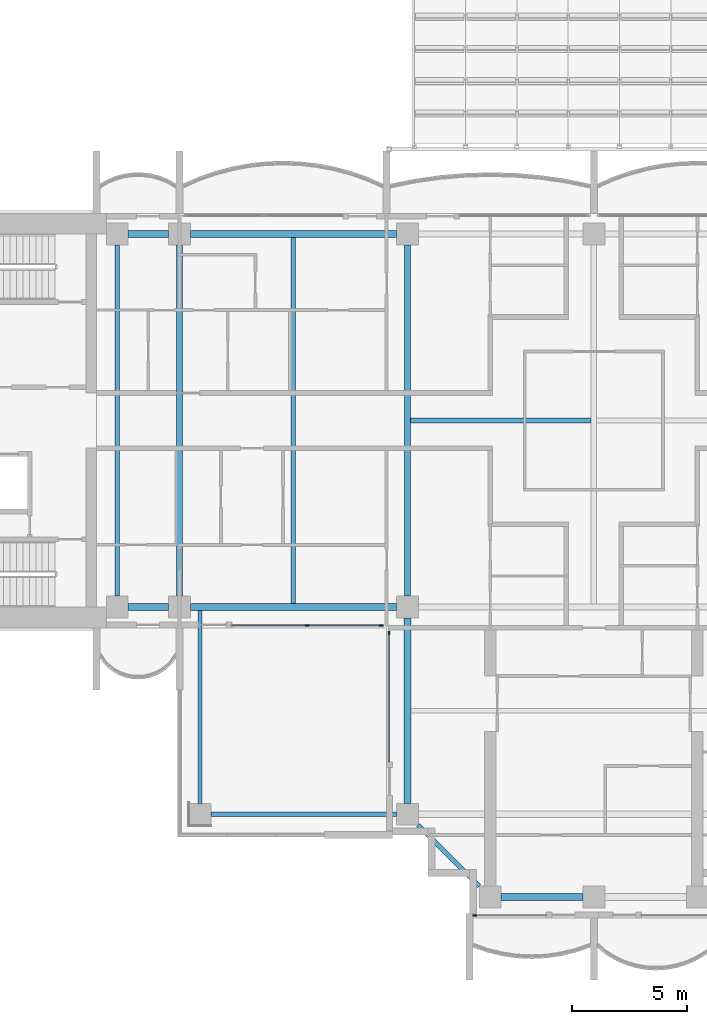
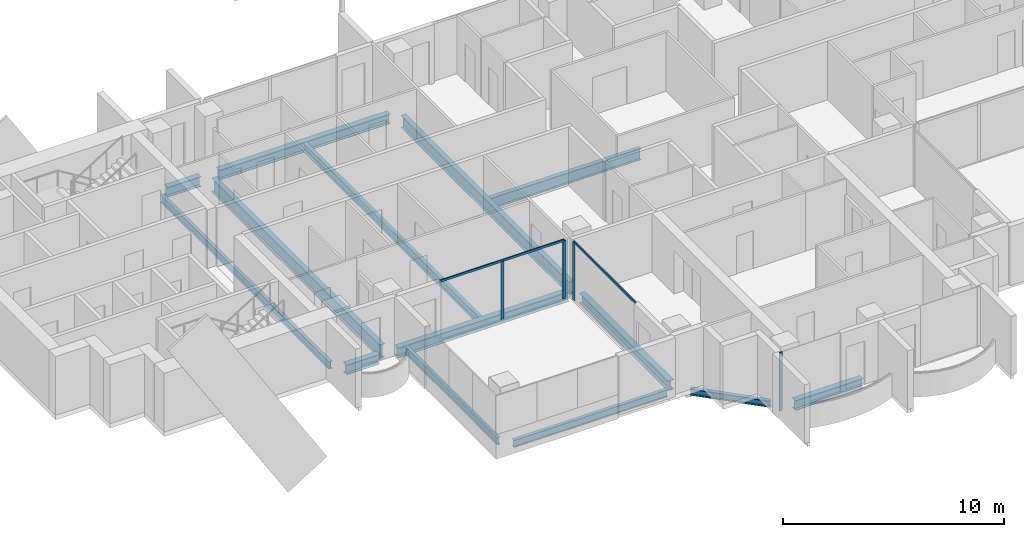
# One storey, part 3 of 20: 14 beams, 6 members, 3 elements without a shape of their own.
"""IFC4 building model written with IfcOpenShell, lengths in metres."""

from ifc_helpers import new_model, si_unit, direction, frame, origin, origin_2d, place, context, subcontext, project, spatial, rectangle, i_section, extrude, material, material_profile, profile_set, type_object, element, aggregate, save


model = new_model("IFC4")

# Units and contexts
model_context = context("Model", 3, precision=1e-05, world=origin(), true_north=direction((0.0, 1.0)))
body_context = subcontext(model_context, "Body", "Model", "MODEL_VIEW")
ifc_project = project(units=[si_unit("LENGTHUNIT", "METRE"), si_unit("AREAUNIT", "SQUARE_METRE"), si_unit("VOLUMEUNIT", "CUBIC_METRE"), si_unit("PLANEANGLEUNIT", "RADIAN"), si_unit("MASSUNIT", "GRAM", prefix="KILO")], contexts=[model_context])

# Site, building, storey
site_placement = place(None, origin())
site = spatial("IfcSite", under=ifc_project, at=site_placement, CompositionType="ELEMENT")
building_placement = place(site_placement, origin())
building = spatial("IfcBuilding", under=site, at=building_placement, Name="Perihelion Cross Residences", CompositionType="ELEMENT")
storey_placement = place(building_placement, frame((0.0, 0.0, 170.10009765625)))
storey = spatial("IfcBuildingStorey", under=building, at=storey_placement, Name="L41", CompositionType="ELEMENT", Elevation=170.10009765625)

# Curtain wall, members
ifc_material_1 = material(Name="Bronze anodised aluminium, tinted glazing", Category="aluminium")
curtain_wall_type = type_object("IfcCurtainWallType", Name="CW1", PredefinedType="NOTDEFINED", material=ifc_material_1)
curtain_wall_1_placement = place(storey_placement, origin())
curtain_wall_1 = element("IfcCurtainWall", 1, at=curtain_wall_1_placement, inside=storey, type_object=curtain_wall_type, Name="Curtain wall CW1 L41 west side south bay 2", PredefinedType="NOTDEFINED")
ifc_material_2 = material(Name="Bronze anodised aluminium", Category="aluminium")
ifc_material_profile_1 = material_profile(ifc_material_2, rectangle(XDim=0.06005859375, YDim=0.159912109375, at=origin_2d()), Name="CW1 mullion")
ifc_profile_set_1 = profile_set([ifc_material_profile_1], Name="Bronze anodised aluminium")
member_type_1 = type_object("IfcMemberType", Name="CW1 mullion", PredefinedType="MULLION", material=ifc_profile_set_1)
member_1_placement = place(storey_placement, frame((-12.46240234375, -8.89990234375, 0.0), z_axis=(0.0, 0.0, 1.0), x_axis=(0.0, 1.0, 0.0)))
member_1 = element("IfcMember", 2, at=member_1_placement, type_object=member_type_1, Name="CW1 mullion 2", PredefinedType="MULLION", context=body_context, shape_type="SweptSolid", body=[
    extrude(rectangle(XDim=0.06005859375, YDim=0.159912109375, at=origin_2d()), origin(), (0.0, 0.0, 1.0), 3.18994140625),
])
member_2_placement = place(storey_placement, frame((-9.22998046875, -8.89990234375, 0.0), z_axis=(0.0, 0.0, 1.0), x_axis=(0.0, 1.0, 0.0)))
member_2 = element("IfcMember", 3, at=member_2_placement, type_object=member_type_1, Name="CW1 mullion 3", PredefinedType="MULLION", context=body_context, shape_type="SweptSolid", body=[
    extrude(rectangle(XDim=0.06005859375, YDim=0.159912109375, at=origin_2d()), origin(), (0.0, 0.0, 1.0), 3.18994140625),
])

# Curtain wall, member
curtain_wall_2_placement = place(storey_placement, origin())
curtain_wall_2 = element("IfcCurtainWall", 4, at=curtain_wall_2_placement, inside=storey, type_object=curtain_wall_type, Name="Curtain wall CW1 L41 south side west bay 1", PredefinedType="NOTDEFINED")
member_3_placement = place(storey_placement, frame((-8.89990234375, -9.22998046875, 0.0), z_axis=(0.0, 0.0, 1.0), x_axis=(1.0, 0.0, 0.0)))
member_3 = element("IfcMember", 5, at=member_3_placement, type_object=member_type_1, Name="CW1 mullion 1", PredefinedType="MULLION", context=body_context, shape_type="SweptSolid", body=[
    extrude(rectangle(XDim=0.06005859375, YDim=0.159912109375, at=origin_2d()), origin(), (0.0, 0.0, 1.0), 3.18994140625),
])

curtain_wall_3_placement = place(storey_placement, origin())
curtain_wall_3 = element("IfcCurtainWall", 6, at=curtain_wall_3_placement, inside=storey, type_object=curtain_wall_type, Name="Curtain wall CW1 L41 south tip south bay 1", PredefinedType="NOTDEFINED")
member_4_placement = place(storey_placement, frame((-5.169921875, -21.5, 0.0), z_axis=(0.0, 0.0, 1.0), x_axis=(0.0, 1.0, 0.0)))
member_4 = element("IfcMember", 7, at=member_4_placement, type_object=member_type_1, Name="CW1 mullion 1", PredefinedType="MULLION", context=body_context, shape_type="SweptSolid", body=[
    extrude(rectangle(XDim=0.06005859375, YDim=0.159912109375, at=origin_2d()), origin(), (0.0, 0.0, 1.0), 3.25),
])
aggregate(curtain_wall_3, [member_4])

# Member
ifc_material_3 = material(Name="Bronze anodised aluminium", Category="aluminium")
ifc_material_profile_2 = material_profile(ifc_material_3, rectangle(XDim=0.06005859375, YDim=0.1201171875, at=origin_2d()), Name="CW1 transom")
ifc_profile_set_2 = profile_set([ifc_material_profile_2], Name="Bronze anodised aluminium")
member_type_2 = type_object("IfcMemberType", Name="CW1 transom", PredefinedType="USERDEFINED", material=ifc_profile_set_2)
member_5_placement = place(storey_placement, frame((-15.72509765625, -8.89990234375, 3.219970703125), z_axis=(1.0, 0.0, 0.0), x_axis=(0.0, 1.0, 0.0)))
member_5 = element("IfcMember", 8, at=member_5_placement, type_object=member_type_2, Name="CW1 head transom", ObjectType="TRANSOM", PredefinedType="USERDEFINED", context=body_context, shape_type="SweptSolid", body=[
    extrude(rectangle(XDim=0.06005859375, YDim=0.1201171875, at=origin_2d()), origin(), (0.0, 0.0, 1.0), 6.4951171875),
])

aggregate(curtain_wall_1, [member_1, member_2, member_5])

member_6_placement = place(storey_placement, frame((-8.89990234375, -9.22998046875, 3.219970703125), z_axis=(0.0, -1.0, 0.0), x_axis=(1.0, 0.0, 0.0)))
member_6 = element("IfcMember", 9, at=member_6_placement, type_object=member_type_2, Name="CW1 head transom", ObjectType="TRANSOM", PredefinedType="USERDEFINED", context=body_context, shape_type="SweptSolid", body=[
    extrude(rectangle(XDim=0.06005859375, YDim=0.1201171875, at=origin_2d()), origin(), (0.0, 0.0, 1.0), 5.594970703125),
])

aggregate(curtain_wall_2, [member_3, member_6])

# Beams
ifc_material_4 = material(Name="Steel S355", Category="steel")
ifc_material_profile_3 = material_profile(ifc_material_4, i_section(OverallWidth=0.177978515625, OverallDepth=0.406005859375, WebThickness=0.0078125, FlangeThickness=0.0126953125, at=origin_2d()), Name="W410x60")
ifc_profile_set_3 = profile_set([ifc_material_profile_3], Name="Steel S355")
beam_type_1 = type_object("IfcBeamType", Name="Core edge beam W410x60", PredefinedType="BEAM", material=ifc_profile_set_3)
beam_1_placement = place(storey_placement, frame((-17.10009765625, -8.256103515625, -0.453125), z_axis=(0.0, -1.0, 0.0), x_axis=(1.0, 0.0, 0.0)))
element("IfcBeam", 10, at=beam_1_placement, inside=storey, type_object=beam_type_1, Name="Core edge beam TB2 L41 corner no. 1", PredefinedType="BEAM", context=body_context, shape_type="SweptSolid", body=[
    extrude(i_section(OverallWidth=0.177978515625, OverallDepth=0.406005859375, WebThickness=0.0078125, FlangeThickness=0.0126953125, at=origin_2d()), origin(), (0.0, 0.0, 1.0), 8.368896484375),
])
beam_2_placement = place(storey_placement, frame((-8.574951171875, -17.10009765625, -0.453125), z_axis=(-1.0, 0.0, 0.0), x_axis=(0.0, -1.0, 0.0)))
element("IfcBeam", 11, at=beam_2_placement, inside=storey, type_object=beam_type_1, Name="Core edge beam TB2 L41 corner no. 2", PredefinedType="BEAM", context=body_context, shape_type="SweptSolid", body=[
    extrude(i_section(OverallWidth=0.177978515625, OverallDepth=0.406005859375, WebThickness=0.0078125, FlangeThickness=0.0126953125, at=origin_2d()), origin(), (0.0, 0.0, 1.0), 8.050048828125),
])
ifc_material_5 = material(Name="Steel S355", Category="steel")
ifc_material_profile_4 = material_profile(ifc_material_5, i_section(OverallWidth=0.180908203125, OverallDepth=0.4169921875, WebThickness=0.010986328125, FlangeThickness=0.018310546875, at=origin_2d()), Name="W410x85")
ifc_profile_set_4 = profile_set([ifc_material_profile_4], Name="Steel S355")
beam_type_2 = type_object("IfcBeamType", Name="Core edge beam W410x85", PredefinedType="BEAM", material=ifc_profile_set_4)
beam_3_placement = place(storey_placement, frame((-20.699951171875, -7.625, -0.45849609375), z_axis=(0.0, 1.0, 0.0), x_axis=(-1.0, 0.0, 0.0)))
element("IfcBeam", 12, at=beam_3_placement, inside=storey, type_object=beam_type_2, Name="Core edge beam TB6 L41 no. 1", PredefinedType="BEAM", context=body_context, shape_type="SweptSolid", body=[
    extrude(i_section(OverallWidth=0.180908203125, OverallDepth=0.4169921875, WebThickness=0.010986328125, FlangeThickness=0.018310546875, at=origin_2d()), origin(), (0.0, 0.0, 1.0), 15.25),
])
ifc_material_6 = material(Name="Steel S355", Category="steel")
ifc_material_profile_5 = material_profile(ifc_material_6, i_section(OverallWidth=0.31201171875, OverallDepth=0.5439453125, WebThickness=0.0126953125, FlangeThickness=0.020263671875, at=origin_2d()), Name="W530x150")
ifc_profile_set_5 = profile_set([ifc_material_profile_5], Name="Steel S355")
beam_type_3 = type_object("IfcBeamType", Name="Edge beam W530x150", PredefinedType="SPANDREL", material=ifc_profile_set_5)
beam_4_placement = place(storey_placement, frame((-8.574951171875, 8.10009765625, -0.522216796875), z_axis=(-1.0, 0.0, 0.0), x_axis=(0.0, -1.0, 0.0)))
element("IfcBeam", 13, at=beam_4_placement, inside=storey, type_object=beam_type_3, Name="Edge beam SB4 L41 no. 6", PredefinedType="SPANDREL", context=body_context, shape_type="SweptSolid", body=[
    extrude(i_section(OverallWidth=0.31201171875, OverallDepth=0.5439453125, WebThickness=0.0126953125, FlangeThickness=0.020263671875, at=origin_2d()), origin(), (0.0, 0.0, 1.0), 8.949951171875),
])
for number, where, z_axis, x_axis, name in (
    (14, (-18.47509765625, 8.10009765625, -0.522216796875), (-1.0, 0.0, 0.0), (0.0, -1.0, 0.0), "Edge beam SB4 L41 no. 2"),
    (15, (-20.22509765625, -8.10009765625, -0.522216796875), (1.0, 0.0, 0.0), (0.0, 1.0, 0.0), "Edge beam SB4 L41 no. 3"),
):
    element("IfcBeam", number, at=place(storey_placement, frame(where, z_axis=z_axis, x_axis=x_axis)), inside=storey, type_object=beam_type_3, Name=name, PredefinedType="SPANDREL", context=body_context, shape_type="SweptSolid", body=[
        extrude(i_section(OverallWidth=0.31201171875, OverallDepth=0.5439453125, WebThickness=0.0126953125, FlangeThickness=0.020263671875, at=origin_2d()), origin(), (0.0, 0.0, 1.0), 1.75),
    ])
beam_5_placement = place(storey_placement, frame((-17.52490234375, -8.10009765625, -0.522216796875), z_axis=(1.0, 0.0, 0.0), x_axis=(0.0, 1.0, 0.0)))
element("IfcBeam", 16, at=beam_5_placement, inside=storey, type_object=beam_type_3, Name="Edge beam SB4 L41 no. 1", PredefinedType="SPANDREL", context=body_context, shape_type="SweptSolid", body=[
    extrude(i_section(OverallWidth=0.31201171875, OverallDepth=0.5439453125, WebThickness=0.0126953125, FlangeThickness=0.020263671875, at=origin_2d()), origin(), (0.0, 0.0, 1.0), 8.949951171875),
])
beam_6_placement = place(storey_placement, frame((-8.10009765625, -8.574951171875, -0.522216796875), z_axis=(0.0, -1.0, 0.0), x_axis=(1.0, 0.0, 0.0)))
element("IfcBeam", 17, at=beam_6_placement, inside=storey, type_object=beam_type_3, Name="Edge beam SB4 L41 no. 5", PredefinedType="SPANDREL", context=body_context, shape_type="SweptSolid", body=[
    extrude(i_section(OverallWidth=0.31201171875, OverallDepth=0.5439453125, WebThickness=0.0126953125, FlangeThickness=0.020263671875, at=origin_2d()), origin(), (0.0, 0.0, 1.0), 8.050048828125),
])
beam_7_placement = place(storey_placement, frame((-4.02490234375, -20.699951171875, -0.522216796875), z_axis=(1.0, 0.0, 0.0), x_axis=(0.0, 1.0, 0.0)))
element("IfcBeam", 18, at=beam_7_placement, inside=storey, type_object=beam_type_3, Name="Edge beam SB4 L41 no. 4", PredefinedType="SPANDREL", context=body_context, shape_type="SweptSolid", body=[
    extrude(i_section(OverallWidth=0.31201171875, OverallDepth=0.5439453125, WebThickness=0.0126953125, FlangeThickness=0.020263671875, at=origin_2d()), origin(), (0.0, 0.0, 1.0), 3.5498046875),
])
ifc_material_7 = material(Name="Steel S355", Category="steel")
ifc_material_profile_6 = material_profile(ifc_material_7, i_section(OverallWidth=0.26708984375, OverallDepth=0.77001953125, WebThickness=0.015625, FlangeThickness=0.025390625, at=origin_2d()), Name="W760x196")
ifc_profile_set_6 = profile_set([ifc_material_profile_6], Name="Steel S355")
beam_type_4 = type_object("IfcBeamType", Name="Floor girder W760x196", PredefinedType="BEAM", material=ifc_profile_set_6)
beam_8_placement = place(storey_placement, frame((-18.0, -7.625, -0.635009765625), z_axis=(0.0, 1.0, 0.0), x_axis=(-1.0, 0.0, 0.0)))
element("IfcBeam", 19, at=beam_8_placement, inside=storey, type_object=beam_type_4, Name="Girder G4 L41 no. 1", PredefinedType="BEAM", context=body_context, shape_type="SweptSolid", body=[
    extrude(i_section(OverallWidth=0.26708984375, OverallDepth=0.77001953125, WebThickness=0.015625, FlangeThickness=0.025390625, at=origin_2d()), origin(), (0.0, 0.0, 1.0), 15.25),
])
ifc_material_8 = material(Name="Steel S355", Category="steel")
ifc_material_profile_7 = material_profile(ifc_material_8, i_section(OverallWidth=0.19091796875, OverallDepth=0.45703125, WebThickness=0.009033203125, FlangeThickness=0.014404296875, at=origin_2d()), Name="W460x74")
ifc_profile_set_7 = profile_set([ifc_material_profile_7], Name="Steel S355")
beam_type_5 = type_object("IfcBeamType", Name="Floor joist W460x74", PredefinedType="JOIST", material=ifc_profile_set_7)
beam_9_placement = place(storey_placement, frame((-13.050048828125, -7.944091796875, -0.478515625), z_axis=(0.0, 1.0, 0.0), x_axis=(-1.0, 0.0, 0.0)))
element("IfcBeam", 20, at=beam_9_placement, inside=storey, type_object=beam_type_5, Name="Joist J5 L41 no. 1", PredefinedType="JOIST", context=body_context, shape_type="SweptSolid", body=[
    extrude(i_section(OverallWidth=0.19091796875, OverallDepth=0.45703125, WebThickness=0.009033203125, FlangeThickness=0.014404296875, at=origin_2d()), origin(), (0.0, 0.0, 1.0), 15.88818359375),
])
ifc_material_9 = material(Name="Steel S355", Category="steel")
ifc_material_profile_8 = material_profile(ifc_material_9, i_section(OverallWidth=0.22900390625, OverallDepth=0.612060546875, WebThickness=0.011962890625, FlangeThickness=0.01953125, at=origin_2d()), Name="W610x125")
ifc_profile_set_8 = profile_set([ifc_material_profile_8], Name="Steel S355")
beam_type_6 = type_object("IfcBeamType", Name="Hub cross beam W610x125", PredefinedType="BEAM", material=ifc_profile_set_8)
beam_10_placement = place(storey_placement, frame((-7.971435546875, 0.0, -0.55615234375), z_axis=(1.0, 0.0, 0.0), x_axis=(0.0, 1.0, 0.0)))
element("IfcBeam", 21, at=beam_10_placement, inside=storey, type_object=beam_type_6, Name="Hub cross beam XB4 L41 1 no. 1", PredefinedType="BEAM", context=body_context, shape_type="SweptSolid", body=[
    extrude(i_section(OverallWidth=0.22900390625, OverallDepth=0.612060546875, WebThickness=0.011962890625, FlangeThickness=0.01953125, at=origin_2d()), origin(), (0.0, 0.0, 1.0), 7.85693359375),
])
ifc_material_10 = material(Name="Steel S355", Category="steel")
ifc_material_profile_9 = material_profile(ifc_material_10, i_section(OverallWidth=0.257080078125, OverallDepth=0.693115234375, WebThickness=0.014404296875, FlangeThickness=0.023681640625, at=origin_2d()), Name="W690x170")
ifc_profile_set_9 = profile_set([ifc_material_profile_9], Name="Steel S355")
beam_type_7 = type_object("IfcBeamType", Name="Hub ring girder W690x170", PredefinedType="BEAM", material=ifc_profile_set_9)
beam_11_placement = place(storey_placement, frame((-8.10009765625, 7.625, -0.5966796875), z_axis=(0.0, -1.0, 0.0), x_axis=(1.0, 0.0, 0.0)))
element("IfcBeam", 22, at=beam_11_placement, inside=storey, type_object=beam_type_7, Name="Hub ring girder RG4 L41 no. 2", PredefinedType="BEAM", context=body_context, shape_type="SweptSolid", body=[
    extrude(i_section(OverallWidth=0.257080078125, OverallDepth=0.693115234375, WebThickness=0.014404296875, FlangeThickness=0.023681640625, at=origin_2d()), origin(), (0.0, 0.0, 1.0), 15.25),
])
ifc_material_11 = material(Name="Steel S355", Category="steel")
ifc_material_profile_10 = material_profile(ifc_material_11, i_section(OverallWidth=0.205078125, OverallDepth=0.35302734375, WebThickness=0.009521484375, FlangeThickness=0.016845703125, at=origin_2d()), Name="W360x79")
ifc_profile_set_10 = profile_set([ifc_material_profile_10], Name="Steel S355")
beam_type_8 = type_object("IfcBeamType", Name="Serration edge beam W360x79", PredefinedType="BEAM", material=ifc_profile_set_10)
beam_12_placement = place(storey_placement, frame((-7.625, -17.574951171875, -0.426513671875), z_axis=(0.70707420838, -0.707139352493, 0.0), x_axis=(0.707139352493, 0.70707420838, 0.0)))
element("IfcBeam", 23, at=beam_12_placement, inside=storey, type_object=beam_type_8, Name="Serration edge beam EB4 L41 no. 1", PredefinedType="BEAM", context=body_context, shape_type="SweptSolid", body=[
    extrude(i_section(OverallWidth=0.205078125, OverallDepth=0.35302734375, WebThickness=0.009521484375, FlangeThickness=0.016845703125, at=origin_2d()), origin(), (0.0, 0.0, 1.0), 3.747802734375),
])

save(model, "model.ifc")
